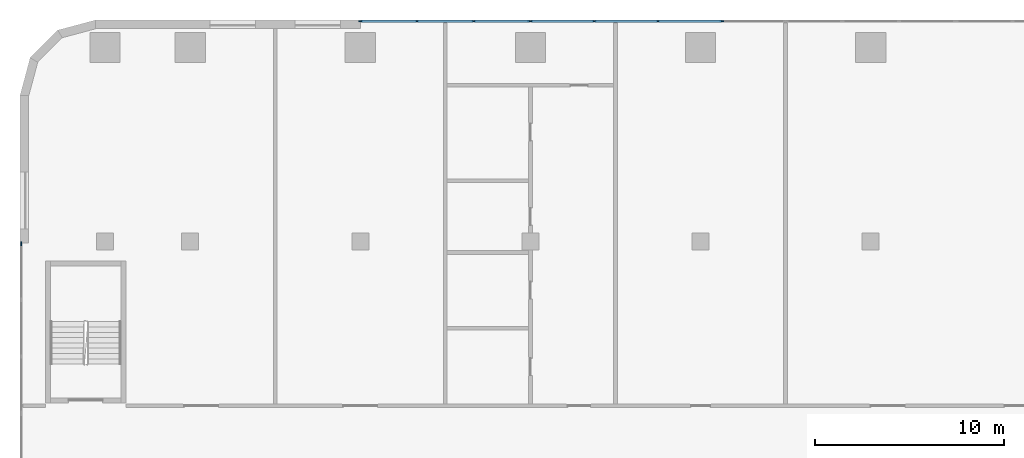
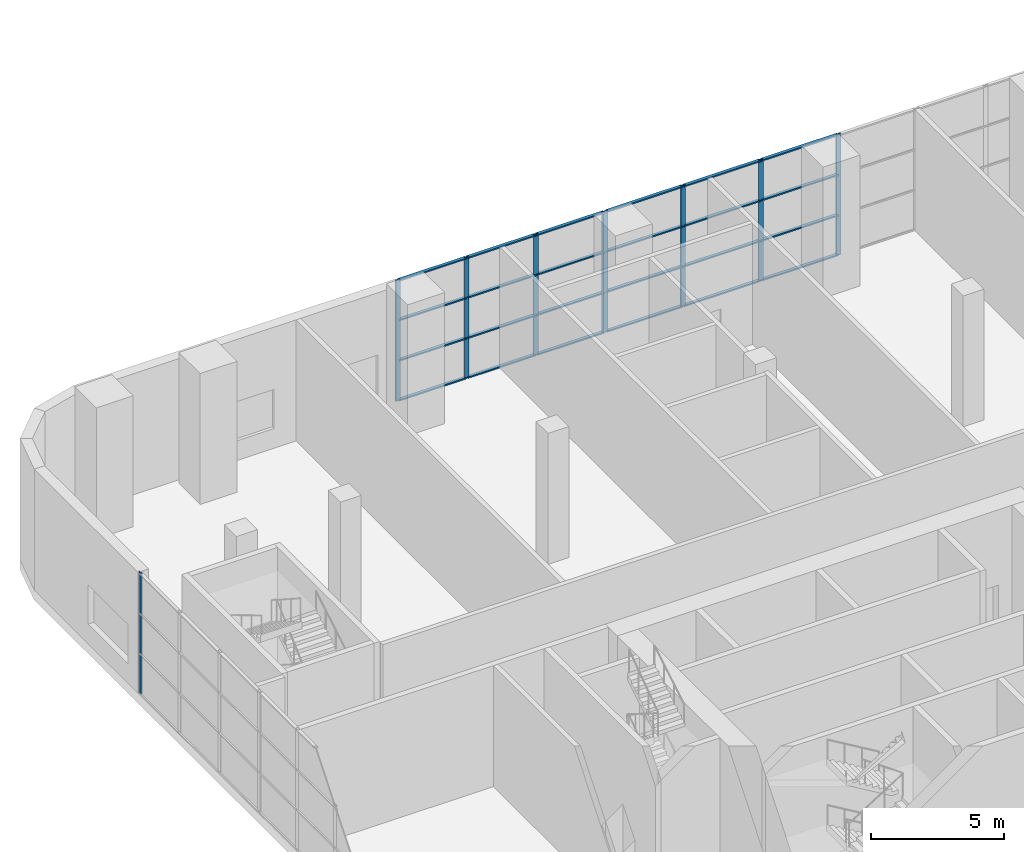
# One storey, part 5 of 27: 33 members, 3 elements without a shape of their own.
"""IFC4 building model written with IfcOpenShell, lengths in metres."""

from ifc_helpers import new_model, si_unit, direction, frame, origin, origin_2d, place, context, subcontext, project, spatial, rectangle, extrude, material, material_profile, profile_set, type_object, element, aggregate, save


model = new_model("IFC4")

# Units and contexts
model_context = context("Model", 3, precision=1e-05, world=origin(), true_north=direction((0.0, 1.0)))
body_context = subcontext(model_context, "Body", "Model", "MODEL_VIEW")
ifc_project = project(units=[si_unit("LENGTHUNIT", "METRE"), si_unit("AREAUNIT", "SQUARE_METRE"), si_unit("VOLUMEUNIT", "CUBIC_METRE"), si_unit("PLANEANGLEUNIT", "RADIAN"), si_unit("MASSUNIT", "GRAM", prefix="KILO")], contexts=[model_context])

# Site, building, storey
site_placement = place(None, origin())
site = spatial("IfcSite", under=ifc_project, at=site_placement, CompositionType="ELEMENT")
building_placement = place(site_placement, origin())
building = spatial("IfcBuilding", under=site, at=building_placement, Name="Kajstack Hotel Tower", CompositionType="ELEMENT")
storey_placement = place(building_placement, frame((0.0, 0.0, 11.0)))
storey = spatial("IfcBuildingStorey", under=building, at=storey_placement, Name="L01", CompositionType="ELEMENT", Elevation=11.0)

# Curtain wall, members
ifc_material_1 = material(Name="Aluminium-framed curtain wall, low-iron glass", Category="aluminium")
curtain_wall_type = type_object("IfcCurtainWallType", Name="CW-LOBBY", PredefinedType="NOTDEFINED", material=ifc_material_1)
curtain_wall_1_placement = place(storey_placement, origin())
curtain_wall_1 = element("IfcCurtainWall", 1, at=curtain_wall_1_placement, inside=storey, type_object=curtain_wall_type, Name="Curtain wall CU1 L01-11-02-2", PredefinedType="NOTDEFINED")
ifc_material_2 = material(Name="Aluminium", Category="aluminium")
ifc_material_profile_1 = material_profile(ifc_material_2, rectangle(XDim=0.06005859375, YDim=0.199951171875, at=origin_2d()), Name="Aluminium mullion 60 x 200")
ifc_profile_set_1 = profile_set([ifc_material_profile_1], Name="Aluminium")
member_type_1 = type_object("IfcMemberType", Name="CW-M-LOBBY", PredefinedType="MULLION", material=ifc_profile_set_1)
member_1_placement = place(storey_placement, frame((-7.875, 21.925048828125, 0.0), z_axis=(0.0, 0.0, 1.0), x_axis=(0.0, -1.0, 0.0)))
member_1 = element("IfcMember", 2, at=member_1_placement, type_object=member_type_1, Name="CU1 mullion 2", PredefinedType="MULLION", context=body_context, shape_type="SweptSolid", body=[
    extrude(rectangle(XDim=0.06005859375, YDim=0.199951171875, at=origin_2d()), origin(), (0.0, 0.0, 1.0), 5.550048828125),
])
member_2_placement = place(storey_placement, frame((-11.25, 21.925048828125, 0.0), z_axis=(0.0, 0.0, 1.0), x_axis=(0.0, -1.0, 0.0)))
member_2 = element("IfcMember", 3, at=member_2_placement, type_object=member_type_1, Name="CU1 mullion 3", PredefinedType="MULLION", context=body_context, shape_type="SweptSolid", body=[
    extrude(rectangle(XDim=0.06005859375, YDim=0.199951171875, at=origin_2d()), origin(), (0.0, 0.0, 1.0), 5.550048828125),
])
member_3_placement = place(storey_placement, frame((-14.625, 21.925048828125, 0.0), z_axis=(0.0, 0.0, 1.0), x_axis=(0.0, -1.0, 0.0)))
member_3 = element("IfcMember", 4, at=member_3_placement, type_object=member_type_1, Name="CU1 mullion 4", PredefinedType="MULLION", context=body_context, shape_type="SweptSolid", body=[
    extrude(rectangle(XDim=0.06005859375, YDim=0.199951171875, at=origin_2d()), origin(), (0.0, 0.0, 1.0), 5.550048828125),
])
member_4_placement = place(storey_placement, frame((-17.969970703125, 21.925048828125, 0.0), z_axis=(0.0, 0.0, 1.0), x_axis=(0.0, -1.0, 0.0)))
member_4 = element("IfcMember", 5, at=member_4_placement, type_object=member_type_1, Name="CU1 mullion 5", PredefinedType="MULLION", context=body_context, shape_type="SweptSolid", body=[
    extrude(rectangle(XDim=0.06005859375, YDim=0.199951171875, at=origin_2d()), origin(), (0.0, 0.0, 1.0), 5.550048828125),
])

curtain_wall_2_placement = place(storey_placement, origin())
curtain_wall_2 = element("IfcCurtainWall", 6, at=curtain_wall_2_placement, inside=storey, type_object=curtain_wall_type, Name="Curtain wall CU1 L01-11-02-3", PredefinedType="NOTDEFINED")
member_5_placement = place(storey_placement, frame((-18.030029296875, 21.925048828125, 0.0), z_axis=(0.0, 0.0, 1.0), x_axis=(0.0, -1.0, 0.0)))
member_5 = element("IfcMember", 7, at=member_5_placement, type_object=member_type_1, Name="CU1 mullion 1", PredefinedType="MULLION", context=body_context, shape_type="SweptSolid", body=[
    extrude(rectangle(XDim=0.06005859375, YDim=0.199951171875, at=origin_2d()), origin(), (0.0, 0.0, 1.0), 5.550048828125),
])
member_6_placement = place(storey_placement, frame((-21.0, 21.925048828125, 0.0), z_axis=(0.0, 0.0, 1.0), x_axis=(0.0, -1.0, 0.0)))
member_6 = element("IfcMember", 8, at=member_6_placement, type_object=member_type_1, Name="CU1 mullion 2", PredefinedType="MULLION", context=body_context, shape_type="SweptSolid", body=[
    extrude(rectangle(XDim=0.06005859375, YDim=0.199951171875, at=origin_2d()), origin(), (0.0, 0.0, 1.0), 5.550048828125),
])
member_7_placement = place(storey_placement, frame((-24.0, 21.925048828125, 0.0), z_axis=(0.0, 0.0, 1.0), x_axis=(0.0, -1.0, 0.0)))
member_7 = element("IfcMember", 9, at=member_7_placement, type_object=member_type_1, Name="CU1 mullion 3", PredefinedType="MULLION", context=body_context, shape_type="SweptSolid", body=[
    extrude(rectangle(XDim=0.06005859375, YDim=0.199951171875, at=origin_2d()), origin(), (0.0, 0.0, 1.0), 5.550048828125),
])
member_8_placement = place(storey_placement, frame((-26.969970703125, 21.925048828125, 0.0), z_axis=(0.0, 0.0, 1.0), x_axis=(0.0, -1.0, 0.0)))
member_8 = element("IfcMember", 10, at=member_8_placement, type_object=member_type_1, Name="CU1 mullion 4", PredefinedType="MULLION", context=body_context, shape_type="SweptSolid", body=[
    extrude(rectangle(XDim=0.06005859375, YDim=0.199951171875, at=origin_2d()), origin(), (0.0, 0.0, 1.0), 5.550048828125),
])

# Curtain wall, member
curtain_wall_3_placement = place(storey_placement, origin())
curtain_wall_3 = element("IfcCurtainWall", 11, at=curtain_wall_3_placement, inside=storey, type_object=curtain_wall_type, Name="Curtain wall CU1 L01-15-01-0", PredefinedType="NOTDEFINED")
member_9_placement = place(storey_placement, frame((-44.925048828125, 10.169921875, 0.0), z_axis=(0.0, 0.0, 1.0), x_axis=(1.0, 0.0, 0.0)))
member_9 = element("IfcMember", 12, at=member_9_placement, type_object=member_type_1, Name="CU1 mullion 1", PredefinedType="MULLION", context=body_context, shape_type="SweptSolid", body=[
    extrude(rectangle(XDim=0.06005859375, YDim=0.199951171875, at=origin_2d()), origin(), (0.0, 0.0, 1.0), 5.550048828125),
])
aggregate(curtain_wall_3, [member_9])

# Member
ifc_material_profile_2 = material_profile(ifc_material_2, rectangle(XDim=0.139892578125, YDim=0.06005859375, at=origin_2d()), Name="Aluminium transom 140 x 60")
ifc_profile_set_2 = profile_set([ifc_material_profile_2], Name="Aluminium")
member_type_2 = type_object("IfcMemberType", Name="CW-T-LOBBY", PredefinedType="USERDEFINED", material=ifc_profile_set_2)
member_10_placement = place(storey_placement, frame((-7.905029296875, 21.925048828125, 0.030029296875), z_axis=(-1.0, 0.0, 0.0), x_axis=(0.0, -1.0, 0.0)))
member_10 = element("IfcMember", 13, at=member_10_placement, type_object=member_type_2, Name="CU1 transom 2.1", ObjectType="TRANSOM", PredefinedType="USERDEFINED", context=body_context, shape_type="SweptSolid", body=[
    extrude(rectangle(XDim=0.139892578125, YDim=0.06005859375, at=origin_2d()), origin(), (0.0, 0.0, 1.0), 3.31494140625),
])

member_11_placement = place(storey_placement, frame((-7.905029296875, 21.925048828125, 1.85009765625), z_axis=(-1.0, 0.0, 0.0), x_axis=(0.0, -1.0, 0.0)))
member_11 = element("IfcMember", 14, at=member_11_placement, type_object=member_type_2, Name="CU1 transom 2.2", ObjectType="TRANSOM", PredefinedType="USERDEFINED", context=body_context, shape_type="SweptSolid", body=[
    extrude(rectangle(XDim=0.139892578125, YDim=0.06005859375, at=origin_2d()), origin(), (0.0, 0.0, 1.0), 3.31494140625),
])

member_12_placement = place(storey_placement, frame((-7.905029296875, 21.925048828125, 3.699951171875), z_axis=(-1.0, 0.0, 0.0), x_axis=(0.0, -1.0, 0.0)))
member_12 = element("IfcMember", 15, at=member_12_placement, type_object=member_type_2, Name="CU1 transom 2.3", ObjectType="TRANSOM", PredefinedType="USERDEFINED", context=body_context, shape_type="SweptSolid", body=[
    extrude(rectangle(XDim=0.139892578125, YDim=0.06005859375, at=origin_2d()), origin(), (0.0, 0.0, 1.0), 3.31494140625),
])

member_13_placement = place(storey_placement, frame((-7.905029296875, 21.925048828125, 5.52001953125), z_axis=(-1.0, 0.0, 0.0), x_axis=(0.0, -1.0, 0.0)))
member_13 = element("IfcMember", 16, at=member_13_placement, type_object=member_type_2, Name="CU1 transom 2.4", ObjectType="TRANSOM", PredefinedType="USERDEFINED", context=body_context, shape_type="SweptSolid", body=[
    extrude(rectangle(XDim=0.139892578125, YDim=0.06005859375, at=origin_2d()), origin(), (0.0, 0.0, 1.0), 3.31494140625),
])

member_14_placement = place(storey_placement, frame((-11.280029296875, 21.925048828125, 0.030029296875), z_axis=(-1.0, 0.0, 0.0), x_axis=(0.0, -1.0, 0.0)))
member_14 = element("IfcMember", 17, at=member_14_placement, type_object=member_type_2, Name="CU1 transom 3.1", ObjectType="TRANSOM", PredefinedType="USERDEFINED", context=body_context, shape_type="SweptSolid", body=[
    extrude(rectangle(XDim=0.139892578125, YDim=0.06005859375, at=origin_2d()), origin(), (0.0, 0.0, 1.0), 3.31494140625),
])

member_15_placement = place(storey_placement, frame((-11.280029296875, 21.925048828125, 1.85009765625), z_axis=(-1.0, 0.0, 0.0), x_axis=(0.0, -1.0, 0.0)))
member_15 = element("IfcMember", 18, at=member_15_placement, type_object=member_type_2, Name="CU1 transom 3.2", ObjectType="TRANSOM", PredefinedType="USERDEFINED", context=body_context, shape_type="SweptSolid", body=[
    extrude(rectangle(XDim=0.139892578125, YDim=0.06005859375, at=origin_2d()), origin(), (0.0, 0.0, 1.0), 3.31494140625),
])

member_16_placement = place(storey_placement, frame((-11.280029296875, 21.925048828125, 3.699951171875), z_axis=(-1.0, 0.0, 0.0), x_axis=(0.0, -1.0, 0.0)))
member_16 = element("IfcMember", 19, at=member_16_placement, type_object=member_type_2, Name="CU1 transom 3.3", ObjectType="TRANSOM", PredefinedType="USERDEFINED", context=body_context, shape_type="SweptSolid", body=[
    extrude(rectangle(XDim=0.139892578125, YDim=0.06005859375, at=origin_2d()), origin(), (0.0, 0.0, 1.0), 3.31494140625),
])

member_17_placement = place(storey_placement, frame((-11.280029296875, 21.925048828125, 5.52001953125), z_axis=(-1.0, 0.0, 0.0), x_axis=(0.0, -1.0, 0.0)))
member_17 = element("IfcMember", 20, at=member_17_placement, type_object=member_type_2, Name="CU1 transom 3.4", ObjectType="TRANSOM", PredefinedType="USERDEFINED", context=body_context, shape_type="SweptSolid", body=[
    extrude(rectangle(XDim=0.139892578125, YDim=0.06005859375, at=origin_2d()), origin(), (0.0, 0.0, 1.0), 3.31494140625),
])

member_18_placement = place(storey_placement, frame((-14.655029296875, 21.925048828125, 0.030029296875), z_axis=(-1.0, 0.0, 0.0), x_axis=(0.0, -1.0, 0.0)))
member_18 = element("IfcMember", 21, at=member_18_placement, type_object=member_type_2, Name="CU1 transom 4.1", ObjectType="TRANSOM", PredefinedType="USERDEFINED", context=body_context, shape_type="SweptSolid", body=[
    extrude(rectangle(XDim=0.139892578125, YDim=0.06005859375, at=origin_2d()), origin(), (0.0, 0.0, 1.0), 3.284912109375),
])

member_19_placement = place(storey_placement, frame((-14.655029296875, 21.925048828125, 1.85009765625), z_axis=(-1.0, 0.0, 0.0), x_axis=(0.0, -1.0, 0.0)))
member_19 = element("IfcMember", 22, at=member_19_placement, type_object=member_type_2, Name="CU1 transom 4.2", ObjectType="TRANSOM", PredefinedType="USERDEFINED", context=body_context, shape_type="SweptSolid", body=[
    extrude(rectangle(XDim=0.139892578125, YDim=0.06005859375, at=origin_2d()), origin(), (0.0, 0.0, 1.0), 3.284912109375),
])

member_20_placement = place(storey_placement, frame((-14.655029296875, 21.925048828125, 3.699951171875), z_axis=(-1.0, 0.0, 0.0), x_axis=(0.0, -1.0, 0.0)))
member_20 = element("IfcMember", 23, at=member_20_placement, type_object=member_type_2, Name="CU1 transom 4.3", ObjectType="TRANSOM", PredefinedType="USERDEFINED", context=body_context, shape_type="SweptSolid", body=[
    extrude(rectangle(XDim=0.139892578125, YDim=0.06005859375, at=origin_2d()), origin(), (0.0, 0.0, 1.0), 3.284912109375),
])

member_21_placement = place(storey_placement, frame((-14.655029296875, 21.925048828125, 5.52001953125), z_axis=(-1.0, 0.0, 0.0), x_axis=(0.0, -1.0, 0.0)))
member_21 = element("IfcMember", 24, at=member_21_placement, type_object=member_type_2, Name="CU1 transom 4.4", ObjectType="TRANSOM", PredefinedType="USERDEFINED", context=body_context, shape_type="SweptSolid", body=[
    extrude(rectangle(XDim=0.139892578125, YDim=0.06005859375, at=origin_2d()), origin(), (0.0, 0.0, 1.0), 3.284912109375),
])

aggregate(curtain_wall_1, [member_1, member_2, member_3, member_4, member_10, member_11, member_12, member_13, member_14, member_15, member_16, member_17, member_18, member_19, member_20, member_21])

member_22_placement = place(storey_placement, frame((-18.06005859375, 21.925048828125, 0.030029296875), z_axis=(-1.0, 0.0, 0.0), x_axis=(0.0, -1.0, 0.0)))
member_22 = element("IfcMember", 25, at=member_22_placement, type_object=member_type_2, Name="CU1 transom 1.1", ObjectType="TRANSOM", PredefinedType="USERDEFINED", context=body_context, shape_type="SweptSolid", body=[
    extrude(rectangle(XDim=0.139892578125, YDim=0.06005859375, at=origin_2d()), origin(), (0.0, 0.0, 1.0), 2.909912109375),
])

member_23_placement = place(storey_placement, frame((-18.06005859375, 21.925048828125, 1.85009765625), z_axis=(-1.0, 0.0, 0.0), x_axis=(0.0, -1.0, 0.0)))
member_23 = element("IfcMember", 26, at=member_23_placement, type_object=member_type_2, Name="CU1 transom 1.2", ObjectType="TRANSOM", PredefinedType="USERDEFINED", context=body_context, shape_type="SweptSolid", body=[
    extrude(rectangle(XDim=0.139892578125, YDim=0.06005859375, at=origin_2d()), origin(), (0.0, 0.0, 1.0), 2.909912109375),
])

member_24_placement = place(storey_placement, frame((-18.06005859375, 21.925048828125, 3.699951171875), z_axis=(-1.0, 0.0, 0.0), x_axis=(0.0, -1.0, 0.0)))
member_24 = element("IfcMember", 27, at=member_24_placement, type_object=member_type_2, Name="CU1 transom 1.3", ObjectType="TRANSOM", PredefinedType="USERDEFINED", context=body_context, shape_type="SweptSolid", body=[
    extrude(rectangle(XDim=0.139892578125, YDim=0.06005859375, at=origin_2d()), origin(), (0.0, 0.0, 1.0), 2.909912109375),
])

member_25_placement = place(storey_placement, frame((-18.06005859375, 21.925048828125, 5.52001953125), z_axis=(-1.0, 0.0, 0.0), x_axis=(0.0, -1.0, 0.0)))
member_25 = element("IfcMember", 28, at=member_25_placement, type_object=member_type_2, Name="CU1 transom 1.4", ObjectType="TRANSOM", PredefinedType="USERDEFINED", context=body_context, shape_type="SweptSolid", body=[
    extrude(rectangle(XDim=0.139892578125, YDim=0.06005859375, at=origin_2d()), origin(), (0.0, 0.0, 1.0), 2.909912109375),
])

member_26_placement = place(storey_placement, frame((-21.030029296875, 21.925048828125, 0.030029296875), z_axis=(-1.0, 0.0, 0.0), x_axis=(0.0, -1.0, 0.0)))
member_26 = element("IfcMember", 29, at=member_26_placement, type_object=member_type_2, Name="CU1 transom 2.1", ObjectType="TRANSOM", PredefinedType="USERDEFINED", context=body_context, shape_type="SweptSolid", body=[
    extrude(rectangle(XDim=0.139892578125, YDim=0.06005859375, at=origin_2d()), origin(), (0.0, 0.0, 1.0), 2.93994140625),
])

member_27_placement = place(storey_placement, frame((-21.030029296875, 21.925048828125, 1.85009765625), z_axis=(-1.0, 0.0, 0.0), x_axis=(0.0, -1.0, 0.0)))
member_27 = element("IfcMember", 30, at=member_27_placement, type_object=member_type_2, Name="CU1 transom 2.2", ObjectType="TRANSOM", PredefinedType="USERDEFINED", context=body_context, shape_type="SweptSolid", body=[
    extrude(rectangle(XDim=0.139892578125, YDim=0.06005859375, at=origin_2d()), origin(), (0.0, 0.0, 1.0), 2.93994140625),
])

member_28_placement = place(storey_placement, frame((-21.030029296875, 21.925048828125, 3.699951171875), z_axis=(-1.0, 0.0, 0.0), x_axis=(0.0, -1.0, 0.0)))
member_28 = element("IfcMember", 31, at=member_28_placement, type_object=member_type_2, Name="CU1 transom 2.3", ObjectType="TRANSOM", PredefinedType="USERDEFINED", context=body_context, shape_type="SweptSolid", body=[
    extrude(rectangle(XDim=0.139892578125, YDim=0.06005859375, at=origin_2d()), origin(), (0.0, 0.0, 1.0), 2.93994140625),
])

member_29_placement = place(storey_placement, frame((-21.030029296875, 21.925048828125, 5.52001953125), z_axis=(-1.0, 0.0, 0.0), x_axis=(0.0, -1.0, 0.0)))
member_29 = element("IfcMember", 32, at=member_29_placement, type_object=member_type_2, Name="CU1 transom 2.4", ObjectType="TRANSOM", PredefinedType="USERDEFINED", context=body_context, shape_type="SweptSolid", body=[
    extrude(rectangle(XDim=0.139892578125, YDim=0.06005859375, at=origin_2d()), origin(), (0.0, 0.0, 1.0), 2.93994140625),
])

member_30_placement = place(storey_placement, frame((-24.030029296875, 21.925048828125, 0.030029296875), z_axis=(-1.0, 0.0, 0.0), x_axis=(0.0, -1.0, 0.0)))
member_30 = element("IfcMember", 33, at=member_30_placement, type_object=member_type_2, Name="CU1 transom 3.1", ObjectType="TRANSOM", PredefinedType="USERDEFINED", context=body_context, shape_type="SweptSolid", body=[
    extrude(rectangle(XDim=0.139892578125, YDim=0.06005859375, at=origin_2d()), origin(), (0.0, 0.0, 1.0), 2.909912109375),
])

member_31_placement = place(storey_placement, frame((-24.030029296875, 21.925048828125, 1.85009765625), z_axis=(-1.0, 0.0, 0.0), x_axis=(0.0, -1.0, 0.0)))
member_31 = element("IfcMember", 34, at=member_31_placement, type_object=member_type_2, Name="CU1 transom 3.2", ObjectType="TRANSOM", PredefinedType="USERDEFINED", context=body_context, shape_type="SweptSolid", body=[
    extrude(rectangle(XDim=0.139892578125, YDim=0.06005859375, at=origin_2d()), origin(), (0.0, 0.0, 1.0), 2.909912109375),
])

member_32_placement = place(storey_placement, frame((-24.030029296875, 21.925048828125, 3.699951171875), z_axis=(-1.0, 0.0, 0.0), x_axis=(0.0, -1.0, 0.0)))
member_32 = element("IfcMember", 35, at=member_32_placement, type_object=member_type_2, Name="CU1 transom 3.3", ObjectType="TRANSOM", PredefinedType="USERDEFINED", context=body_context, shape_type="SweptSolid", body=[
    extrude(rectangle(XDim=0.139892578125, YDim=0.06005859375, at=origin_2d()), origin(), (0.0, 0.0, 1.0), 2.909912109375),
])

member_33_placement = place(storey_placement, frame((-24.030029296875, 21.925048828125, 5.52001953125), z_axis=(-1.0, 0.0, 0.0), x_axis=(0.0, -1.0, 0.0)))
member_33 = element("IfcMember", 36, at=member_33_placement, type_object=member_type_2, Name="CU1 transom 3.4", ObjectType="TRANSOM", PredefinedType="USERDEFINED", context=body_context, shape_type="SweptSolid", body=[
    extrude(rectangle(XDim=0.139892578125, YDim=0.06005859375, at=origin_2d()), origin(), (0.0, 0.0, 1.0), 2.909912109375),
])

aggregate(curtain_wall_2, [member_5, member_6, member_7, member_8, member_22, member_23, member_24, member_25, member_26, member_27, member_28, member_29, member_30, member_31, member_32, member_33])

save(model, "model.ifc")
